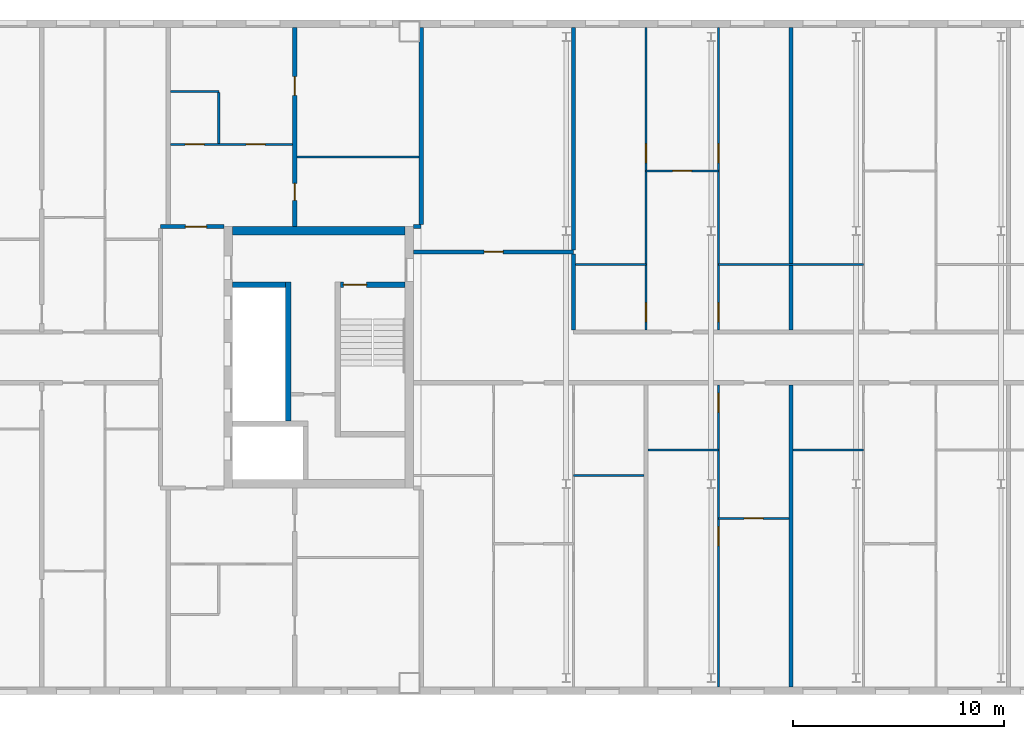
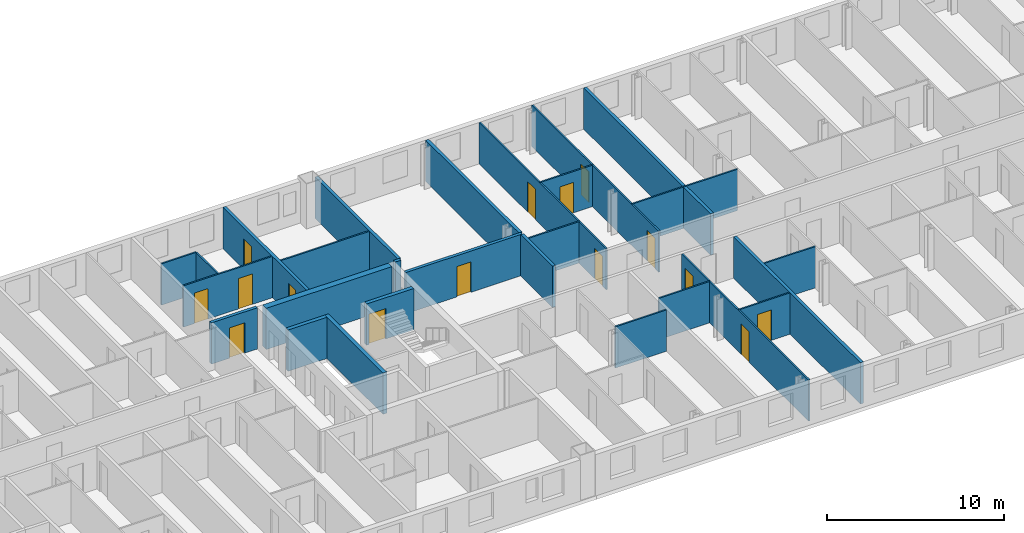
# One storey, part 9 of 19: 27 walls, 15 doors, 15 openings.
"""IFC4 building model written with IfcOpenShell, lengths in metres."""

import ifcopenshell
import ifcopenshell.guid

model = None  # the IFC model being written
_history = None  # IfcOwnerHistory: only IFC2X3 demands one
_inside = {}  # id of a spatial element -> (the spatial element, [elements in it])
_under = {}  # id of a project, library or spatial element -> (it, [spatial elements below it])
_declared = {}  # id of a project -> (the project, [libraries it declares])
_typed = {}  # id of a type object -> (the type object, [elements of that type])
_made_of = {}  # id of a material, layer set ... -> (it, [elements and type objects made of it])


def new_model(schema):
    """Start an empty IFC model of exactly this schema.

    Asked for "IFC4X3", IfcOpenShell would pick the latest addendum, in which some entities
    have other attributes; the version numbers below select the first issue.
    IFC2X3 requires an IfcOwnerHistory on every rooted entity: one is made here for all.
    """
    global model, _history
    if schema == "IFC4X3":
        model = ifcopenshell.file(schema_version=(4, 3, 0, 0))
    else:
        model = ifcopenshell.file(schema=schema)
    _inside.clear()
    _under.clear()
    _declared.clear()
    _typed.clear()
    _made_of.clear()
    _history = None
    if model.schema == "IFC2X3":
        org = make("IfcOrganization", Name="unknown")
        user = make(
            "IfcPersonAndOrganization",
            ThePerson=make("IfcPerson", FamilyName="unknown"),
            TheOrganization=org,
        )
        app = make(
            "IfcApplication",
            ApplicationDeveloper=org,
            Version="unknown",
            ApplicationFullName="unknown",
            ApplicationIdentifier="unknown",
        )
        _history = make(
            "IfcOwnerHistory",
            OwningUser=user,
            OwningApplication=app,
            ChangeAction="ADDED",
            CreationDate=0,
        )
    return model


def make(cls, **values):
    """One entity of the class cls with the attributes given. An attribute that is None is left unset."""
    return model.create_entity(
        cls, **{name: value for name, value in values.items() if value is not None}
    )


def rooted(cls, **values):
    """An entity with a GlobalId (a new one), such as an element, a storey or a relation."""
    return make(cls, GlobalId=ifcopenshell.guid.new(), OwnerHistory=_history, **values)


def si_unit(unit_type, name, prefix=None):
    """IfcSIUnit, for example si_unit("LENGTHUNIT", "METRE", prefix="MILLI")."""
    return make("IfcSIUnit", UnitType=unit_type, Prefix=prefix, Name=name)


def assignment(units):
    """IfcUnitAssignment: the units of a project."""
    return None if units is None else make("IfcUnitAssignment", Units=units)


def point(xyz):
    """IfcCartesianPoint."""
    return None if xyz is None else make("IfcCartesianPoint", Coordinates=xyz)


def direction(xyz):
    """IfcDirection."""
    return None if xyz is None else make("IfcDirection", DirectionRatios=xyz)


def frame(location, z_axis=None, x_axis=None):
    """IfcAxis2Placement3D, a coordinate frame: its origin and axes. An axis left out is left unset."""
    return make(
        "IfcAxis2Placement3D",
        Location=point(location),
        Axis=direction(z_axis),
        RefDirection=direction(x_axis),
    )


def frame_2d(location, x_axis=None):
    """IfcAxis2Placement2D, a coordinate frame in the plane: its origin and x axis."""
    return make(
        "IfcAxis2Placement2D", Location=point(location), RefDirection=direction(x_axis)
    )


def origin():
    """The frame at (0, 0, 0) with its axes left unset."""
    return frame((0.0, 0.0, 0.0))


def place(relative_to, where):
    """IfcLocalPlacement: puts the frame where relative to a parent placement (None: the world)."""
    return make(
        "IfcLocalPlacement", PlacementRelTo=relative_to, RelativePlacement=where
    )


def context(
    kind, dimensions, precision=None, world=None, true_north=None, identifier=None
):
    """IfcGeometricRepresentationContext, for example the 3D "Model" context."""
    return make(
        "IfcGeometricRepresentationContext",
        ContextIdentifier=identifier,
        ContextType=kind,
        CoordinateSpaceDimension=dimensions,
        Precision=precision,
        WorldCoordinateSystem=world,
        TrueNorth=true_north,
    )


def subcontext(parent, identifier, kind, view, scale=None):
    """IfcGeometricRepresentationSubContext, for example "Body" below "Model"."""
    return make(
        "IfcGeometricRepresentationSubContext",
        ContextIdentifier=identifier,
        ContextType=kind,
        ParentContext=parent,
        TargetScale=scale,
        TargetView=view,
    )


def project(units=None, contexts=None):
    """IfcProject with its units and contexts."""
    return rooted(
        "IfcProject",
        Name="project",
        RepresentationContexts=contexts,
        UnitsInContext=assignment(units),
    )


def spatial(cls, under=None, at=None, **own):
    """A site, building, storey or space (cls), placed at a placement, below another one or the project."""
    s = rooted(cls, ObjectPlacement=at, **own)
    if under is not None:
        _under.setdefault(under.id(), (under, []))[1].append(s)
    return s


def profile(cls, at=None, kind="AREA", **sizes):
    """A parametric profile (cls). Its sizes go by their IFC names, for example OverallWidth=200.0."""
    return make(cls, ProfileType=kind, Position=at, **sizes)


def rectangle(**sizes):
    """IfcRectangleProfileDef."""
    return profile("IfcRectangleProfileDef", **sizes)


def extrude(swept, where, along, depth):
    """IfcExtrudedAreaSolid: the profile swept, set in the frame where, extruded along a direction by depth."""
    return make(
        "IfcExtrudedAreaSolid",
        SweptArea=swept,
        Position=where,
        ExtrudedDirection=direction(along),
        Depth=depth,
    )


def shape(context_of_items, identifier, shape_type, items):
    """IfcShapeRepresentation: the items that make up one representation, for example the "Body"."""
    return make(
        "IfcShapeRepresentation",
        ContextOfItems=context_of_items,
        RepresentationIdentifier=identifier,
        RepresentationType=shape_type,
        Items=items,
    )


def material(Name=None, Category=None):
    """IfcMaterial."""
    return make("IfcMaterial", Name=Name, Category=Category)


def layer(
    of_material, thickness, ventilated=None, Name=None, Category=None, Priority=None
):
    """IfcMaterialLayer: one layer of a wall or slab, of a material (None: an air gap)."""
    return make(
        "IfcMaterialLayer",
        Material=of_material,
        LayerThickness=thickness,
        IsVentilated=ventilated,
        Name=Name,
        Category=Category,
        Priority=Priority,
    )


def layer_set(layers, Name=None):
    """IfcMaterialLayerSet."""
    return make("IfcMaterialLayerSet", MaterialLayers=layers, LayerSetName=Name)


def made_of(thing, what):
    """Note that an element or type object is made of a material, layer set ...; save() writes the relation."""
    if what is not None:
        _made_of.setdefault(what.id(), (what, []))[1].append(thing)
    return thing


def type_object(cls, material=None, **own):
    """A type object (cls), such as IfcWallType, which elements share."""
    return made_of(rooted(cls, **own), material)


def element(
    cls,
    number,
    at=None,
    inside=None,
    cuts=None,
    type_object=None,
    material=None,
    context=None,
    identifier="Body",
    shape_type=None,
    held_by="IfcProductDefinitionShape",
    body=None,
    shapes=None,
    **own,
):
    """One element of the class cls, such as IfcWall. Its Tag is "e" and its number.

    at: its placement. inside: the storey or other place that contains it. cuts: it is an
    opening in that element (IfcRelVoidsElement). A single representation is given by context,
    identifier, shape_type and body (its items); several are given by shapes. held_by: the class
    of the entity that holds the representations. save() writes the other relations.
    """
    e = rooted(cls, Tag="e%d" % number, ObjectPlacement=at, **own)
    if body is not None:
        shapes = [shape(context, identifier, shape_type, body)]
    if shapes is not None:
        e.Representation = make(held_by, Representations=shapes)
    if inside is not None:
        _inside.setdefault(inside.id(), (inside, []))[1].append(e)
    if cuts is not None:
        rooted(
            "IfcRelVoidsElement", RelatingBuildingElement=cuts, RelatedOpeningElement=e
        )
    if type_object is not None:
        _typed.setdefault(type_object.id(), (type_object, []))[1].append(e)
    return made_of(e, material)


def fill(opening, filler):
    """IfcRelFillsElement: the door or window that sits in an opening."""
    return rooted(
        "IfcRelFillsElement",
        RelatingOpeningElement=opening,
        RelatedBuildingElement=filler,
    )


def aggregate(whole, parts):
    """IfcRelAggregates: a whole, such as a stair, and the parts it consists of."""
    return rooted("IfcRelAggregates", RelatingObject=whole, RelatedObjects=parts)


def save(model, path):
    """Write the relations noted so far, then the file.

    IfcRelAggregates (storeys below a building ...), IfcRelContainedInSpatialStructure (elements
    in a storey), IfcRelDefinesByType, IfcRelAssociatesMaterial and IfcRelDeclares: one each for
    every whole, place, type object, material and project.
    """
    for whole, parts in _under.values():
        aggregate(whole, parts)
    for where, things in _inside.values():
        rooted(
            "IfcRelContainedInSpatialStructure",
            RelatedElements=things,
            RelatingStructure=where,
        )
    for kind, things in _typed.values():
        rooted("IfcRelDefinesByType", RelatedObjects=things, RelatingType=kind)
    for what, things in _made_of.values():
        rooted("IfcRelAssociatesMaterial", RelatedObjects=things, RelatingMaterial=what)
    for by, libraries in _declared.values():
        rooted("IfcRelDeclares", RelatingContext=by, RelatedDefinitions=libraries)
    model.write(path)


model = new_model("IFC4")

# Units and contexts
model_context = context("Model", 3, precision=1e-05, world=origin(), true_north=direction((0.0, 1.0)))
body_context = subcontext(model_context, "Body", "Model", "MODEL_VIEW")
ifc_project = project(units=[si_unit("LENGTHUNIT", "METRE"), si_unit("AREAUNIT", "SQUARE_METRE"), si_unit("VOLUMEUNIT", "CUBIC_METRE"), si_unit("PLANEANGLEUNIT", "RADIAN"), si_unit("MASSUNIT", "GRAM", prefix="KILO")], contexts=[model_context])

# Site, building, storey
site_placement = place(None, origin())
site = spatial("IfcSite", under=ifc_project, at=site_placement, CompositionType="ELEMENT")
building_placement = place(site_placement, origin())
building = spatial("IfcBuilding", under=site, at=building_placement, Name="Tuart Gate Housing", CompositionType="ELEMENT")
storey_placement = place(building_placement, frame((0.0, 0.0, 209.0)))
storey = spatial("IfcBuildingStorey", under=building, at=storey_placement, Name="L59", CompositionType="ELEMENT", Elevation=209.0)

# Wall
ifc_material_1 = material(Name="Concrete C40", Category="concrete")
ifc_layer_1 = layer(ifc_material_1, 0.25)
ifc_layer_set_1 = layer_set([ifc_layer_1], Name="Core wall 250 C40")
wall_type_1 = type_object("IfcWallType", Name="Core wall 250 C40", PredefinedType="SHEAR", material=ifc_layer_set_1)
wall_1_placement = place(storey_placement, frame((67.0400390625, 73.449951171875, 0.0), z_axis=(0.0, 0.0, 1.0), x_axis=(1.0, 0.0, 0.0)))
element("IfcWall", 1, at=wall_1_placement, inside=storey, type_object=wall_type_1, Name="Core wall AG.4", PredefinedType="SHEAR", context=body_context, shape_type="SweptSolid", body=[
    extrude(rectangle(XDim=2.52490234375, YDim=0.25, at=frame_2d((1.262451171875, 0.0))), origin(), (0.0, 0.0, 1.0), 2.85009765625),
])

# Wall, opening, door
wall_2_placement = place(storey_placement, frame((72.1650390625, 73.449951171875, 0.0), z_axis=(0.0, 0.0, 1.0), x_axis=(1.0, 0.0, 0.0)))
wall_2 = element("IfcWall", 2, at=wall_2_placement, inside=storey, type_object=wall_type_1, Name="Core wall AG.5", PredefinedType="SHEAR", context=body_context, shape_type="SweptSolid", body=[
    extrude(rectangle(XDim=3.074951171875, YDim=0.25, at=frame_2d((1.53759765625, 0.0))), origin(), (0.0, 0.0, 1.0), 2.85009765625),
])
opening_1_placement = place(wall_2_placement, frame((0.14990234375, 0.0, 0.0)))
opening_1 = element("IfcOpeningElement", 3, at=opening_1_placement, cuts=wall_2, Name="Opening D2131", PredefinedType="OPENING", context=body_context, shape_type="SweptSolid", body=[
    extrude(rectangle(XDim=1.10009765625, YDim=2.10009765625, at=frame_2d((0.550048828125, 1.050048828125))), frame((0.0, 0.135009765625, 0.0), z_axis=(0.0, -1.0, 0.0), x_axis=(1.0, 0.0, 0.0)), (0.0, 0.0, 1.0), 0.27001953125),
])
ifc_material_2 = material(Name="Steel fire door", Category="steel")
door_type_1 = type_object("IfcDoorType", Name="Stair door 1100 x 2100 RH", OperationType="SINGLE_SWING_RIGHT", PredefinedType="DOOR", material=ifc_material_2)
door_1_placement = place(opening_1_placement, frame((1.10009765625, 0.0, 0.0), z_axis=(0.0, 0.0, 1.0), x_axis=(-1.0, 0.0, 0.0)))
door_1 = element("IfcDoor", 4, at=door_1_placement, inside=storey, type_object=door_type_1, Name="Stair door AG.SD", OperationType="SINGLE_SWING_RIGHT", OverallHeight=2.10009765625, OverallWidth=1.10009765625, PredefinedType="DOOR", context=body_context, shape_type="SweptSolid", body=[
    extrude(rectangle(XDim=1.10009765625, YDim=2.10009765625, at=frame_2d((0.550048828125, 1.050048828125))), frame((0.0, 0.025146484375, 0.0), z_axis=(0.0, -1.0, 0.0), x_axis=(1.0, 0.0, 0.0)), (0.0, 0.0, 1.0), 0.050048828125),
])
fill(opening_1, door_1)

# Walls
wall_3_placement = place(storey_placement, frame((69.68994140625, 66.97509765625, 0.0), z_axis=(0.0, 0.0, 1.0), x_axis=(0.0, 1.0, 0.0)))
element("IfcWall", 5, at=wall_3_placement, inside=storey, type_object=wall_type_1, Name="Core wall AG.6", PredefinedType="SHEAR", context=body_context, shape_type="SweptSolid", body=[
    extrude(rectangle(XDim=6.599853515625, YDim=0.25, at=frame_2d((3.2998046875, 0.0))), origin(), (0.0, 0.0, 1.0), 2.85009765625),
])
ifc_material_3 = material(Name="Concrete C40", Category="concrete")
ifc_layer_2 = layer(ifc_material_3, 0.39990234375)
ifc_layer_set_2 = layer_set([ifc_layer_2], Name="Core wall 400 C40")
wall_type_2 = type_object("IfcWallType", Name="Core wall 400 C40", PredefinedType="SHEAR", material=ifc_layer_set_2)
wall_4_placement = place(storey_placement, frame((67.0400390625, 76.0, 0.0), z_axis=(0.0, 0.0, 1.0), x_axis=(1.0, 0.0, 0.0)))
element("IfcWall", 6, at=wall_4_placement, inside=storey, type_object=wall_type_2, Name="Core wall AG north", PredefinedType="SHEAR", context=body_context, shape_type="SweptSolid", body=[
    extrude(rectangle(XDim=8.199951171875, YDim=0.39990234375, at=frame_2d((4.10009765625, 0.0))), origin(), (0.0, 0.0, 1.0), 2.85009765625),
])

# Wall, opening, door
ifc_material_4 = material(Name="Concrete masonry 15 MPa", Category="masonry")
ifc_layer_3 = layer(ifc_material_4, 0.199951171875)
ifc_layer_set_3 = layer_set([ifc_layer_3], Name="Corridor wall masonry 200")
wall_type_3 = type_object("IfcWallType", Name="Corridor wall masonry 200", PredefinedType="PARTITIONING", material=ifc_layer_set_3)
wall_5_placement = place(storey_placement, frame((75.639892578125, 75.0, 0.0), z_axis=(0.0, 0.0, 1.0), x_axis=(1.0, 0.0, 0.0)))
wall_5 = element("IfcWall", 7, at=wall_5_placement, inside=storey, type_object=wall_type_3, Name="Corridor wall masonry 200", PredefinedType="PARTITIONING", context=body_context, shape_type="SweptSolid", body=[
    extrude(rectangle(XDim=7.585205078125, YDim=0.199951171875, at=frame_2d((3.79248046875, 0.0))), origin(), (0.0, 0.0, 1.0), 2.85009765625),
])
opening_2_placement = place(wall_5_placement, frame((3.342529296875, 0.0, 0.0)))
opening_2 = element("IfcOpeningElement", 8, at=opening_2_placement, cuts=wall_5, Name="Opening D2186", PredefinedType="OPENING", context=body_context, shape_type="SweptSolid", body=[
    extrude(rectangle(XDim=0.89990234375, YDim=2.10009765625, at=frame_2d((0.449951171875, 1.050048828125))), frame((0.0, 0.10986328125, 0.0), z_axis=(0.0, -1.0, 0.0), x_axis=(1.0, 0.0, 0.0)), (0.0, 0.0, 1.0), 0.219970703125),
])
ifc_material_5 = material(Name="Timber door leaf in steel frame", Category="steel")
door_type_2 = type_object("IfcDoorType", Name="Internal door 900", OperationType="SINGLE_SWING_LEFT", PredefinedType="DOOR", material=ifc_material_5)
door_2_placement = place(opening_2_placement, origin())
door_2 = element("IfcDoor", 9, at=door_2_placement, inside=storey, type_object=door_type_2, Name="Internal door", OperationType="SINGLE_SWING_LEFT", OverallHeight=2.10009765625, OverallWidth=0.89990234375, PredefinedType="DOOR", context=body_context, shape_type="SweptSolid", body=[
    extrude(rectangle(XDim=0.89990234375, YDim=2.10009765625, at=frame_2d((0.449951171875, 1.050048828125))), frame((0.0, 0.02490234375, 0.0), z_axis=(0.0, -1.0, 0.0), x_axis=(1.0, 0.0, 0.0)), (0.0, 0.0, 1.0), 0.050048828125),
])
fill(opening_2, door_2)

# Wall
wall_6_placement = place(storey_placement, frame((83.22509765625, 71.300048828125, 0.0), z_axis=(0.0, 0.0, 1.0), x_axis=(0.0, 1.0, 0.0)))
element("IfcWall", 10, at=wall_6_placement, inside=storey, type_object=wall_type_3, Name="Corridor wall masonry 200", PredefinedType="PARTITIONING", context=body_context, shape_type="SweptSolid", body=[
    extrude(rectangle(XDim=3.599853515625, YDim=0.199951171875, at=frame_2d((1.7998046875, 0.0))), origin(), (0.0, 0.0, 1.0), 2.85009765625),
])

# Wall, opening, door
ifc_material_6 = material(Name="Concrete masonry 15 MPa", Category="masonry")
ifc_layer_4 = layer(ifc_material_6, 0.199951171875)
ifc_layer_set_4 = layer_set([ifc_layer_4], Name="Enclosure wall masonry 200")
wall_type_4 = type_object("IfcWallType", Name="Enclosure wall masonry 200", PredefinedType="PARTITIONING", material=ifc_layer_set_4)
wall_7_placement = place(storey_placement, frame((63.639892578125, 76.199951171875, 0.0), z_axis=(0.0, 0.0, 1.0), x_axis=(1.0, 0.0, 0.0)))
wall_7 = element("IfcWall", 11, at=wall_7_placement, inside=storey, type_object=wall_type_4, Name="Enclosure wall masonry 200", PredefinedType="PARTITIONING", context=body_context, shape_type="SweptSolid", body=[
    extrude(rectangle(XDim=3.0, YDim=0.199951171875, at=frame_2d((1.5, 0.0))), origin(), (0.0, 0.0, 1.0), 2.85009765625),
])
opening_3_placement = place(wall_7_placement, frame((1.179931640625, 0.0, 0.0)))
opening_3 = element("IfcOpeningElement", 12, at=opening_3_placement, cuts=wall_7, Name="Opening D2129", PredefinedType="OPENING", context=body_context, shape_type="SweptSolid", body=[
    extrude(rectangle(XDim=1.0, YDim=2.10009765625, at=frame_2d((0.5, 1.050048828125))), frame((0.0, 0.10986328125, 0.0), z_axis=(0.0, -1.0, 0.0), x_axis=(1.0, 0.0, 0.0)), (0.0, 0.0, 1.0), 0.219970703125),
])
ifc_material_7 = material(Name="Timber door leaf in steel frame", Category="steel")
door_type_3 = type_object("IfcDoorType", Name="Flat entrance door 1000", OperationType="SINGLE_SWING_LEFT", PredefinedType="DOOR", material=ifc_material_7)
door_3_placement = place(opening_3_placement, origin())
door_3 = element("IfcDoor", 13, at=door_3_placement, inside=storey, type_object=door_type_3, Name="Flat entrance door", OperationType="SINGLE_SWING_LEFT", OverallHeight=2.10009765625, OverallWidth=1.0, PredefinedType="DOOR", context=body_context, shape_type="SweptSolid", body=[
    extrude(rectangle(XDim=1.0, YDim=2.10009765625, at=frame_2d((0.5, 1.050048828125))), frame((0.0, 0.02490234375, 0.0), z_axis=(0.0, -1.0, 0.0), x_axis=(1.0, 0.0, 0.0)), (0.0, 0.0, 1.0), 0.050048828125),
])
fill(opening_3, door_3)

ifc_material_8 = material(Name="Gypsum board on steel studs", Category="steel")
ifc_layer_5 = layer(ifc_material_8, 0.10009765625)
ifc_layer_set_5 = layer_set([ifc_layer_5], Name="Partition 100")
wall_type_5 = type_object("IfcWallType", Name="Partition 100", PredefinedType="PARTITIONING", material=ifc_layer_set_5)
wall_8_placement = place(storey_placement, frame((90.10009765625, 62.360107421875, 0.0), z_axis=(0.0, 0.0, 1.0), x_axis=(1.0, 0.0, 0.0)))
wall_8 = element("IfcWall", 14, at=wall_8_placement, inside=storey, type_object=wall_type_5, Name="Partition 100", PredefinedType="PARTITIONING", context=body_context, shape_type="SweptSolid", body=[
    extrude(rectangle(XDim=3.3369140625, YDim=0.10009765625, at=frame_2d((1.66845703125, 0.0))), origin(), (0.0, 0.0, 1.0), 2.85009765625),
])
opening_4_placement = place(wall_8_placement, frame((1.218505859375, 0.0, 0.0)))
opening_4 = element("IfcOpeningElement", 15, at=opening_4_placement, cuts=wall_8, Name="Opening D2199", PredefinedType="OPENING", context=body_context, shape_type="SweptSolid", body=[
    extrude(rectangle(XDim=0.89990234375, YDim=2.10009765625, at=frame_2d((0.449951171875, 1.050048828125))), frame((0.0, 0.06005859375, 0.0), z_axis=(0.0, -1.0, 0.0), x_axis=(1.0, 0.0, 0.0)), (0.0, 0.0, 1.0), 0.1201171875),
])
door_4_placement = place(opening_4_placement, origin())
door_4 = element("IfcDoor", 16, at=door_4_placement, inside=storey, type_object=door_type_2, Name="Internal door", OperationType="SINGLE_SWING_LEFT", OverallHeight=2.10009765625, OverallWidth=0.89990234375, PredefinedType="DOOR", context=body_context, shape_type="SweptSolid", body=[
    extrude(rectangle(XDim=0.89990234375, YDim=2.10009765625, at=frame_2d((0.449951171875, 1.050048828125))), frame((0.0, 0.02490234375, 0.0), z_axis=(0.0, -1.0, 0.0), x_axis=(1.0, 0.0, 0.0)), (0.0, 0.0, 1.0), 0.050048828125),
])
fill(opening_4, door_4)

# Walls
wall_9_placement = place(storey_placement, frame((83.22509765625, 64.39990234375, 0.0), z_axis=(0.0, 0.0, 1.0), x_axis=(1.0, 0.0, 0.0)))
element("IfcWall", 17, at=wall_9_placement, inside=storey, type_object=wall_type_5, Name="Partition 100", PredefinedType="PARTITIONING", context=body_context, shape_type="SweptSolid", body=[
    extrude(rectangle(XDim=3.3369140625, YDim=0.10009765625, at=frame_2d((1.66845703125, 0.0))), origin(), (0.0, 0.0, 1.0), 2.85009765625),
])
for number, where, z_axis, x_axis, name in (
    (18, (86.761962890625, 65.60009765625, 0.0), (0.0, 0.0, 1.0), (1.0, 0.0, 0.0), "Partition 100"),
    (19, (93.636962890625, 65.60009765625, 0.0), (0.0, 0.0, 1.0), (1.0, 0.0, 0.0), "Partition 100"),
):
    element("IfcWall", number, at=place(storey_placement, frame(where, z_axis=z_axis, x_axis=x_axis)), inside=storey, type_object=wall_type_5, Name=name, PredefinedType="PARTITIONING", context=body_context, shape_type="SweptSolid", body=[
        extrude(rectangle(XDim=3.338134765625, YDim=0.10009765625, at=frame_2d((1.6689453125, 0.0))), origin(), (0.0, 0.0, 1.0), 2.85009765625),
    ])
wall_10_placement = place(storey_placement, frame((83.324951171875, 74.39990234375, 0.0), z_axis=(0.0, 0.0, 1.0), x_axis=(1.0, 0.0, 0.0)))
element("IfcWall", 20, at=wall_10_placement, inside=storey, type_object=wall_type_5, Name="Partition 100", PredefinedType="PARTITIONING", context=body_context, shape_type="SweptSolid", body=[
    extrude(rectangle(XDim=3.337158203125, YDim=0.10009765625, at=frame_2d((1.66845703125, 0.0))), origin(), (0.0, 0.0, 1.0), 2.85009765625),
])
wall_11_placement = place(storey_placement, frame((90.10009765625, 74.39990234375, 0.0), z_axis=(0.0, 0.0, 1.0), x_axis=(1.0, 0.0, 0.0)))
element("IfcWall", 21, at=wall_11_placement, inside=storey, type_object=wall_type_5, Name="Partition 100", PredefinedType="PARTITIONING", context=body_context, shape_type="SweptSolid", body=[
    extrude(rectangle(XDim=6.875, YDim=0.10009765625, at=frame_2d((3.4375, 0.0))), origin(), (0.0, 0.0, 1.0), 2.85009765625),
])

# Wall, opening, door
wall_12_placement = place(storey_placement, frame((86.662109375, 78.840087890625, 0.0), z_axis=(0.0, 0.0, 1.0), x_axis=(1.0, 0.0, 0.0)))
wall_12 = element("IfcWall", 22, at=wall_12_placement, inside=storey, type_object=wall_type_5, Name="Partition 100", PredefinedType="PARTITIONING", context=body_context, shape_type="SweptSolid", body=[
    extrude(rectangle(XDim=3.43798828125, YDim=0.10009765625, at=frame_2d((1.718994140625, 0.0))), origin(), (0.0, 0.0, 1.0), 2.85009765625),
])
opening_5_placement = place(wall_12_placement, frame((1.26904296875, 0.0, 0.0)))
opening_5 = element("IfcOpeningElement", 23, at=opening_5_placement, cuts=wall_12, Name="Opening D2166", PredefinedType="OPENING", context=body_context, shape_type="SweptSolid", body=[
    extrude(rectangle(XDim=0.89990234375, YDim=2.10009765625, at=frame_2d((0.449951171875, 1.050048828125))), frame((0.0, 0.06005859375, 0.0), z_axis=(0.0, -1.0, 0.0), x_axis=(1.0, 0.0, 0.0)), (0.0, 0.0, 1.0), 0.1201171875),
])
ifc_material_9 = material(Name="Timber door leaf in steel frame", Category="steel")
door_type_4 = type_object("IfcDoorType", Name="Internal door 900 RH", OperationType="SINGLE_SWING_RIGHT", PredefinedType="DOOR", material=ifc_material_9)
door_5_placement = place(opening_5_placement, frame((0.89990234375, 0.0, 0.0), z_axis=(0.0, 0.0, 1.0), x_axis=(-1.0, 0.0, 0.0)))
door_5 = element("IfcDoor", 24, at=door_5_placement, inside=storey, type_object=door_type_4, Name="Internal door", OperationType="SINGLE_SWING_RIGHT", OverallHeight=2.10009765625, OverallWidth=0.89990234375, PredefinedType="DOOR", context=body_context, shape_type="SweptSolid", body=[
    extrude(rectangle(XDim=0.89990234375, YDim=2.10009765625, at=frame_2d((0.449951171875, 1.050048828125))), frame((0.0, 0.025146484375, 0.0), z_axis=(0.0, -1.0, 0.0), x_axis=(1.0, 0.0, 0.0)), (0.0, 0.0, 1.0), 0.050048828125),
])
fill(opening_5, door_5)

# Wall
wall_13_placement = place(storey_placement, frame((70.10009765625, 79.5, 0.0), z_axis=(0.0, 0.0, 1.0), x_axis=(1.0, 0.0, 0.0)))
element("IfcWall", 25, at=wall_13_placement, inside=storey, type_object=wall_type_5, Name="Partition 100", PredefinedType="PARTITIONING", context=body_context, shape_type="SweptSolid", body=[
    extrude(rectangle(XDim=5.7998046875, YDim=0.10009765625, at=frame_2d((2.89990234375, 0.0))), origin(), (0.0, 0.0, 1.0), 2.85009765625),
])

# Wall, openings, doors
wall_14_placement = place(storey_placement, frame((64.10009765625, 80.10009765625, 0.0), z_axis=(0.0, 0.0, 1.0), x_axis=(1.0, 0.0, 0.0)))
wall_14 = element("IfcWall", 26, at=wall_14_placement, inside=storey, type_object=wall_type_5, Name="Partition 100", PredefinedType="PARTITIONING", context=body_context, shape_type="SweptSolid", body=[
    extrude(rectangle(XDim=5.7998046875, YDim=0.10009765625, at=frame_2d((2.89990234375, 0.0))), origin(), (0.0, 0.0, 1.0), 2.85009765625),
])
opening_6_placement = place(wall_14_placement, frame((3.60009765625, 0.0, 0.0)))
opening_6 = element("IfcOpeningElement", 27, at=opening_6_placement, cuts=wall_14, Name="Opening D2117", PredefinedType="OPENING", context=body_context, shape_type="SweptSolid", body=[
    extrude(rectangle(XDim=0.89990234375, YDim=2.10009765625, at=frame_2d((0.449951171875, 1.050048828125))), frame((0.0, 0.06005859375, 0.0), z_axis=(0.0, -1.0, 0.0), x_axis=(1.0, 0.0, 0.0)), (0.0, 0.0, 1.0), 0.1201171875),
])
opening_7_placement = place(wall_14_placement, frame((0.699951171875, 0.0, 0.0)))
opening_7 = element("IfcOpeningElement", 28, at=opening_7_placement, cuts=wall_14, Name="Opening D2116", PredefinedType="OPENING", context=body_context, shape_type="SweptSolid", body=[
    extrude(rectangle(XDim=0.89990234375, YDim=2.10009765625, at=frame_2d((0.449951171875, 1.050048828125))), frame((0.0, 0.06005859375, 0.0), z_axis=(0.0, -1.0, 0.0), x_axis=(1.0, 0.0, 0.0)), (0.0, 0.0, 1.0), 0.1201171875),
])
ifc_material_10 = material(Name="Timber door leaf in steel frame", Category="steel")
door_type_5 = type_object("IfcDoorType", Name="Bathroom door 900 RH", OperationType="SINGLE_SWING_RIGHT", PredefinedType="DOOR", material=ifc_material_10)
door_6_placement = place(opening_7_placement, origin())
door_6 = element("IfcDoor", 29, at=door_6_placement, inside=storey, type_object=door_type_5, Name="Bathroom door", OperationType="SINGLE_SWING_RIGHT", OverallHeight=2.10009765625, OverallWidth=0.89990234375, PredefinedType="DOOR", context=body_context, shape_type="SweptSolid", body=[
    extrude(rectangle(XDim=0.89990234375, YDim=2.10009765625, at=frame_2d((0.449951171875, 1.050048828125))), frame((0.0, 0.02490234375, 0.0), z_axis=(0.0, -1.0, 0.0), x_axis=(1.0, 0.0, 0.0)), (0.0, 0.0, 1.0), 0.050048828125),
])
fill(opening_7, door_6)
door_7_placement = place(opening_6_placement, frame((0.89990234375, 0.0, 0.0), z_axis=(0.0, 0.0, 1.0), x_axis=(-1.0, 0.0, 0.0)))
door_7 = element("IfcDoor", 30, at=door_7_placement, inside=storey, type_object=door_type_2, Name="Internal door", OperationType="SINGLE_SWING_LEFT", OverallHeight=2.10009765625, OverallWidth=0.89990234375, PredefinedType="DOOR", context=body_context, shape_type="SweptSolid", body=[
    extrude(rectangle(XDim=0.89990234375, YDim=2.10009765625, at=frame_2d((0.449951171875, 1.050048828125))), frame((0.0, 0.025146484375, 0.0), z_axis=(0.0, -1.0, 0.0), x_axis=(1.0, 0.0, 0.0)), (0.0, 0.0, 1.0), 0.050048828125),
])
fill(opening_6, door_7)

# Walls
wall_15_placement = place(storey_placement, frame((64.10009765625, 82.60009765625, 0.0), z_axis=(0.0, 0.0, 1.0), x_axis=(1.0, 0.0, 0.0)))
element("IfcWall", 31, at=wall_15_placement, inside=storey, type_object=wall_type_5, Name="Partition 100", PredefinedType="PARTITIONING", context=body_context, shape_type="SweptSolid", body=[
    extrude(rectangle(XDim=2.2998046875, YDim=0.10009765625, at=frame_2d((1.14990234375, 0.0))), origin(), (0.0, 0.0, 1.0), 2.85009765625),
])
wall_16_placement = place(storey_placement, frame((66.39990234375, 80.14990234375, 0.0), z_axis=(0.0, 0.0, 1.0), x_axis=(0.0, 1.0, 0.0)))
element("IfcWall", 32, at=wall_16_placement, inside=storey, type_object=wall_type_5, Name="Partition 100", PredefinedType="PARTITIONING", context=body_context, shape_type="SweptSolid", body=[
    extrude(rectangle(XDim=2.400146484375, YDim=0.10009765625, at=frame_2d((1.2001953125, 0.0))), origin(), (0.0, 0.0, 1.0), 2.85009765625),
])

# Wall, openings, doors
wall_17_placement = place(storey_placement, frame((86.662109375, 71.300048828125, 0.0), z_axis=(0.0, 0.0, 1.0), x_axis=(0.0, 1.0, 0.0)))
wall_17 = element("IfcWall", 33, at=wall_17_placement, inside=storey, type_object=wall_type_5, Name="Partition 100", PredefinedType="PARTITIONING", context=body_context, shape_type="SweptSolid", body=[
    extrude(rectangle(XDim=14.33984375, YDim=0.10009765625, at=frame_2d((7.169921875, 0.0))), origin(), (0.0, 0.0, 1.0), 2.85009765625),
])
opening_8_placement = place(wall_17_placement, frame((7.93994140625, 0.0, 0.0)))
opening_8 = element("IfcOpeningElement", 34, at=opening_8_placement, cuts=wall_17, Name="Opening D2170", PredefinedType="OPENING", context=body_context, shape_type="SweptSolid", body=[
    extrude(rectangle(XDim=0.89990234375, YDim=2.10009765625, at=frame_2d((0.449951171875, 1.050048828125))), frame((0.0, 0.06005859375, 0.0), z_axis=(0.0, -1.0, 0.0), x_axis=(1.0, 0.0, 0.0)), (0.0, 0.0, 1.0), 0.1201171875),
])
opening_9_placement = place(wall_17_placement, frame((0.39990234375, 0.0, 0.0)))
opening_9 = element("IfcOpeningElement", 35, at=opening_9_placement, cuts=wall_17, Name="Opening D2169", PredefinedType="OPENING", context=body_context, shape_type="SweptSolid", body=[
    extrude(rectangle(XDim=0.89990234375, YDim=2.10009765625, at=frame_2d((0.449951171875, 1.050048828125))), frame((0.0, 0.06005859375, 0.0), z_axis=(0.0, -1.0, 0.0), x_axis=(1.0, 0.0, 0.0)), (0.0, 0.0, 1.0), 0.1201171875),
])
ifc_material_11 = material(Name="Timber door leaf in steel frame", Category="steel")
door_type_6 = type_object("IfcDoorType", Name="Bathroom door 900", OperationType="SINGLE_SWING_LEFT", PredefinedType="DOOR", material=ifc_material_11)
door_8_placement = place(opening_9_placement, origin())
door_8 = element("IfcDoor", 36, at=door_8_placement, inside=storey, type_object=door_type_6, Name="Bathroom door", OperationType="SINGLE_SWING_LEFT", OverallHeight=2.10009765625, OverallWidth=0.89990234375, PredefinedType="DOOR", context=body_context, shape_type="SweptSolid", body=[
    extrude(rectangle(XDim=0.89990234375, YDim=2.10009765625, at=frame_2d((0.449951171875, 1.050048828125))), frame((0.0, 0.02490234375, 0.0), z_axis=(0.0, -1.0, 0.0), x_axis=(1.0, 0.0, 0.0)), (0.0, 0.0, 1.0), 0.050048828125),
])
fill(opening_9, door_8)
door_9_placement = place(opening_8_placement, origin())
door_9 = element("IfcDoor", 37, at=door_9_placement, inside=storey, type_object=door_type_2, Name="Internal door", OperationType="SINGLE_SWING_LEFT", OverallHeight=2.10009765625, OverallWidth=0.89990234375, PredefinedType="DOOR", context=body_context, shape_type="SweptSolid", body=[
    extrude(rectangle(XDim=0.89990234375, YDim=2.10009765625, at=frame_2d((0.449951171875, 1.050048828125))), frame((0.0, 0.02490234375, 0.0), z_axis=(0.0, -1.0, 0.0), x_axis=(1.0, 0.0, 0.0)), (0.0, 0.0, 1.0), 0.050048828125),
])
fill(opening_8, door_9)

wall_18_placement = place(storey_placement, frame((90.10009765625, 54.360107421875, 0.0), z_axis=(0.0, 0.0, 1.0), x_axis=(0.0, 1.0, 0.0)))
wall_18 = element("IfcWall", 38, at=wall_18_placement, inside=storey, type_object=wall_type_5, Name="Partition 100", PredefinedType="PARTITIONING", context=body_context, shape_type="SweptSolid", body=[
    extrude(rectangle(XDim=14.33984375, YDim=0.10009765625, at=frame_2d((7.169921875, 0.0))), origin(), (0.0, 0.0, 1.0), 2.85009765625),
])
opening_10_placement = place(wall_18_placement, frame((6.699951171875, 0.0, 0.0)))
opening_10 = element("IfcOpeningElement", 39, at=opening_10_placement, cuts=wall_18, Name="Opening D2207", PredefinedType="OPENING", context=body_context, shape_type="SweptSolid", body=[
    extrude(rectangle(XDim=0.89990234375, YDim=2.10009765625, at=frame_2d((0.449951171875, 1.050048828125))), frame((0.0, 0.06005859375, 0.0), z_axis=(0.0, -1.0, 0.0), x_axis=(1.0, 0.0, 0.0)), (0.0, 0.0, 1.0), 0.1201171875),
])
opening_11_placement = place(wall_18_placement, frame((13.0400390625, 0.0, 0.0)))
opening_11 = element("IfcOpeningElement", 40, at=opening_11_placement, cuts=wall_18, Name="Opening D2206", PredefinedType="OPENING", context=body_context, shape_type="SweptSolid", body=[
    extrude(rectangle(XDim=0.89990234375, YDim=2.10009765625, at=frame_2d((0.449951171875, 1.050048828125))), frame((0.0, 0.06005859375, 0.0), z_axis=(0.0, -1.0, 0.0), x_axis=(1.0, 0.0, 0.0)), (0.0, 0.0, 1.0), 0.1201171875),
])
door_10_placement = place(opening_11_placement, origin())
door_10 = element("IfcDoor", 41, at=door_10_placement, inside=storey, type_object=door_type_5, Name="Bathroom door", OperationType="SINGLE_SWING_RIGHT", OverallHeight=2.10009765625, OverallWidth=0.89990234375, PredefinedType="DOOR", context=body_context, shape_type="SweptSolid", body=[
    extrude(rectangle(XDim=0.89990234375, YDim=2.10009765625, at=frame_2d((0.449951171875, 1.050048828125))), frame((0.0, 0.02490234375, 0.0), z_axis=(0.0, -1.0, 0.0), x_axis=(1.0, 0.0, 0.0)), (0.0, 0.0, 1.0), 0.050048828125),
])
fill(opening_11, door_10)
door_11_placement = place(opening_10_placement, origin())
door_11 = element("IfcDoor", 42, at=door_11_placement, inside=storey, type_object=door_type_4, Name="Internal door", OperationType="SINGLE_SWING_RIGHT", OverallHeight=2.10009765625, OverallWidth=0.89990234375, PredefinedType="DOOR", context=body_context, shape_type="SweptSolid", body=[
    extrude(rectangle(XDim=0.89990234375, YDim=2.10009765625, at=frame_2d((0.449951171875, 1.050048828125))), frame((0.0, 0.02490234375, 0.0), z_axis=(0.0, -1.0, 0.0), x_axis=(1.0, 0.0, 0.0)), (0.0, 0.0, 1.0), 0.050048828125),
])
fill(opening_10, door_11)

wall_19_placement = place(storey_placement, frame((90.10009765625, 71.300048828125, 0.0), z_axis=(0.0, 0.0, 1.0), x_axis=(0.0, 1.0, 0.0)))
wall_19 = element("IfcWall", 43, at=wall_19_placement, inside=storey, type_object=wall_type_5, Name="Partition 100", PredefinedType="PARTITIONING", context=body_context, shape_type="SweptSolid", body=[
    extrude(rectangle(XDim=14.33984375, YDim=0.10009765625, at=frame_2d((7.169921875, 0.0))), origin(), (0.0, 0.0, 1.0), 2.85009765625),
])
opening_12_placement = place(wall_19_placement, frame((7.93994140625, 0.0, 0.0)))
opening_12 = element("IfcOpeningElement", 44, at=opening_12_placement, cuts=wall_19, Name="Opening D2172", PredefinedType="OPENING", context=body_context, shape_type="SweptSolid", body=[
    extrude(rectangle(XDim=0.89990234375, YDim=2.10009765625, at=frame_2d((0.449951171875, 1.050048828125))), frame((0.0, 0.06005859375, 0.0), z_axis=(0.0, -1.0, 0.0), x_axis=(1.0, 0.0, 0.0)), (0.0, 0.0, 1.0), 0.1201171875),
])
opening_13_placement = place(wall_19_placement, frame((0.39990234375, 0.0, 0.0)))
opening_13 = element("IfcOpeningElement", 45, at=opening_13_placement, cuts=wall_19, Name="Opening D2171", PredefinedType="OPENING", context=body_context, shape_type="SweptSolid", body=[
    extrude(rectangle(XDim=0.89990234375, YDim=2.10009765625, at=frame_2d((0.449951171875, 1.050048828125))), frame((0.0, 0.06005859375, 0.0), z_axis=(0.0, -1.0, 0.0), x_axis=(1.0, 0.0, 0.0)), (0.0, 0.0, 1.0), 0.1201171875),
])
door_12_placement = place(opening_13_placement, frame((0.89990234375, 0.0, 0.0), z_axis=(0.0, 0.0, 1.0), x_axis=(-1.0, 0.0, 0.0)))
door_12 = element("IfcDoor", 46, at=door_12_placement, inside=storey, type_object=door_type_5, Name="Bathroom door", OperationType="SINGLE_SWING_RIGHT", OverallHeight=2.10009765625, OverallWidth=0.89990234375, PredefinedType="DOOR", context=body_context, shape_type="SweptSolid", body=[
    extrude(rectangle(XDim=0.89990234375, YDim=2.10009765625, at=frame_2d((0.449951171875, 1.050048828125))), frame((0.0, 0.025146484375, 0.0), z_axis=(0.0, -1.0, 0.0), x_axis=(1.0, 0.0, 0.0)), (0.0, 0.0, 1.0), 0.050048828125),
])
fill(opening_13, door_12)
door_13_placement = place(opening_12_placement, frame((0.89990234375, 0.0, 0.0), z_axis=(0.0, 0.0, 1.0), x_axis=(-1.0, 0.0, 0.0)))
door_13 = element("IfcDoor", 47, at=door_13_placement, inside=storey, type_object=door_type_4, Name="Internal door", OperationType="SINGLE_SWING_RIGHT", OverallHeight=2.10009765625, OverallWidth=0.89990234375, PredefinedType="DOOR", context=body_context, shape_type="SweptSolid", body=[
    extrude(rectangle(XDim=0.89990234375, YDim=2.10009765625, at=frame_2d((0.449951171875, 1.050048828125))), frame((0.0, 0.025146484375, 0.0), z_axis=(0.0, -1.0, 0.0), x_axis=(1.0, 0.0, 0.0)), (0.0, 0.0, 1.0), 0.050048828125),
])
fill(opening_12, door_13)

ifc_material_12 = material(Name="Concrete C40", Category="concrete")
ifc_layer_6 = layer(ifc_material_12, 0.199951171875)
ifc_layer_set_6 = layer_set([ifc_layer_6], Name="Party wall concrete C40 200")
wall_type_6 = type_object("IfcWallType", Name="Party wall concrete C40 200", PredefinedType="SOLIDWALL", material=ifc_layer_set_6)
wall_20_placement = place(storey_placement, frame((70.0, 76.199951171875, 0.0), z_axis=(0.0, 0.0, 1.0), x_axis=(0.0, 1.0, 0.0)))
wall_20 = element("IfcWall", 48, at=wall_20_placement, inside=storey, type_object=wall_type_6, Name="Party wall concrete C40 200", PredefinedType="SOLIDWALL", context=body_context, shape_type="SweptSolid", body=[
    extrude(rectangle(XDim=9.43994140625, YDim=0.199951171875, at=frame_2d((4.719970703125, 0.0))), origin(), (0.0, 0.0, 1.0), 2.85009765625),
])
opening_14_placement = place(wall_20_placement, frame((6.219970703125, 0.0, 0.0)))
opening_14 = element("IfcOpeningElement", 49, at=opening_14_placement, cuts=wall_20, Name="Opening D2112", PredefinedType="OPENING", context=body_context, shape_type="SweptSolid", body=[
    extrude(rectangle(XDim=0.89990234375, YDim=2.10009765625, at=frame_2d((0.449951171875, 1.050048828125))), frame((0.0, 0.10986328125, 0.0), z_axis=(0.0, -1.0, 0.0), x_axis=(1.0, 0.0, 0.0)), (0.0, 0.0, 1.0), 0.219970703125),
])
opening_15_placement = place(wall_20_placement, frame((1.25, 0.0, 0.0)))
opening_15 = element("IfcOpeningElement", 50, at=opening_15_placement, cuts=wall_20, Name="Opening D2113", PredefinedType="OPENING", context=body_context, shape_type="SweptSolid", body=[
    extrude(rectangle(XDim=0.800048828125, YDim=2.10009765625, at=frame_2d((0.39990234375, 1.050048828125))), frame((0.0, 0.10986328125, 0.0), z_axis=(0.0, -1.0, 0.0), x_axis=(1.0, 0.0, 0.0)), (0.0, 0.0, 1.0), 0.219970703125),
])
door_14_placement = place(opening_14_placement, frame((0.89990234375, 0.0, 0.0), z_axis=(0.0, 0.0, 1.0), x_axis=(-1.0, 0.0, 0.0)))
door_14 = element("IfcDoor", 51, at=door_14_placement, inside=storey, type_object=door_type_2, Name="Internal door", OperationType="SINGLE_SWING_LEFT", OverallHeight=2.10009765625, OverallWidth=0.89990234375, PredefinedType="DOOR", context=body_context, shape_type="SweptSolid", body=[
    extrude(rectangle(XDim=0.89990234375, YDim=2.10009765625, at=frame_2d((0.449951171875, 1.050048828125))), frame((0.0, 0.025146484375, 0.0), z_axis=(0.0, -1.0, 0.0), x_axis=(1.0, 0.0, 0.0)), (0.0, 0.0, 1.0), 0.050048828125),
])
fill(opening_14, door_14)
ifc_material_13 = material(Name="Timber door leaf in steel frame", Category="steel")
door_type_7 = type_object("IfcDoorType", Name="Store door 800 RH", OperationType="SINGLE_SWING_RIGHT", PredefinedType="DOOR", material=ifc_material_13)
door_15_placement = place(opening_15_placement, frame((0.800048828125, 0.0, 0.0), z_axis=(0.0, 0.0, 1.0), x_axis=(-1.0, 0.0, 0.0)))
door_15 = element("IfcDoor", 52, at=door_15_placement, inside=storey, type_object=door_type_7, Name="Store door", OperationType="SINGLE_SWING_RIGHT", OverallHeight=2.10009765625, OverallWidth=0.800048828125, PredefinedType="DOOR", context=body_context, shape_type="SweptSolid", body=[
    extrude(rectangle(XDim=0.800048828125, YDim=2.10009765625, at=frame_2d((0.400146484375, 1.050048828125))), frame((0.0, 0.025146484375, 0.0), z_axis=(0.0, -1.0, 0.0), x_axis=(1.0, 0.0, 0.0)), (0.0, 0.0, 1.0), 0.050048828125),
])
fill(opening_15, door_15)

# Walls
ifc_material_14 = material(Name="Concrete masonry 15 MPa", Category="masonry")
ifc_layer_7 = layer(ifc_material_14, 0.199951171875)
ifc_layer_set_7 = layer_set([ifc_layer_7], Name="Party wall masonry 200")
wall_type_7 = type_object("IfcWallType", Name="Party wall masonry 200", PredefinedType="PARTITIONING", material=ifc_layer_set_7)
wall_21_placement = place(storey_placement, frame((75.639892578125, 76.199951171875, 0.0), z_axis=(0.0, 0.0, 1.0), x_axis=(1.0, 0.0, 0.0)))
element("IfcWall", 53, at=wall_21_placement, inside=storey, type_object=wall_type_7, Name="Party wall masonry 200", PredefinedType="PARTITIONING", context=body_context, shape_type="SweptSolid", body=[
    extrude(rectangle(XDim=0.360107421875, YDim=0.199951171875, at=frame_2d((0.18017578125, 0.0))), origin(), (0.0, 0.0, 1.0), 2.85009765625),
])
wall_22_placement = place(storey_placement, frame((76.0, 76.300048828125, 0.0), z_axis=(0.0, 0.0, 1.0), x_axis=(0.0, 1.0, 0.0)))
element("IfcWall", 54, at=wall_22_placement, inside=storey, type_object=wall_type_7, Name="Party wall masonry 200", PredefinedType="PARTITIONING", context=body_context, shape_type="SweptSolid", body=[
    extrude(rectangle(XDim=9.33984375, YDim=0.199951171875, at=frame_2d((4.669921875, 0.0))), origin(), (0.0, 0.0, 1.0), 2.85009765625),
])
wall_23_placement = place(storey_placement, frame((83.22509765625, 75.10009765625, 0.0), z_axis=(0.0, 0.0, 1.0), x_axis=(0.0, 1.0, 0.0)))
element("IfcWall", 55, at=wall_23_placement, inside=storey, type_object=wall_type_7, Name="Party wall masonry 200", PredefinedType="PARTITIONING", context=body_context, shape_type="SweptSolid", body=[
    extrude(rectangle(XDim=10.539794921875, YDim=0.199951171875, at=frame_2d((5.27001953125, 0.0))), origin(), (0.0, 0.0, 1.0), 2.85009765625),
])
for number, where, z_axis, x_axis, name in (
    (56, (93.537109375, 54.360107421875, 0.0), (0.0, 0.0, 1.0), (0.0, 1.0, 0.0), "Party wall masonry 200"),
    (57, (93.537109375, 71.300048828125, 0.0), (0.0, 0.0, 1.0), (0.0, 1.0, 0.0), "Party wall masonry 200"),
):
    element("IfcWall", number, at=place(storey_placement, frame(where, z_axis=z_axis, x_axis=x_axis)), inside=storey, type_object=wall_type_7, Name=name, PredefinedType="PARTITIONING", context=body_context, shape_type="SweptSolid", body=[
        extrude(rectangle(XDim=14.33984375, YDim=0.199951171875, at=frame_2d((7.169921875, 0.0))), origin(), (0.0, 0.0, 1.0), 2.85009765625),
    ])

save(model, "model.ifc")
